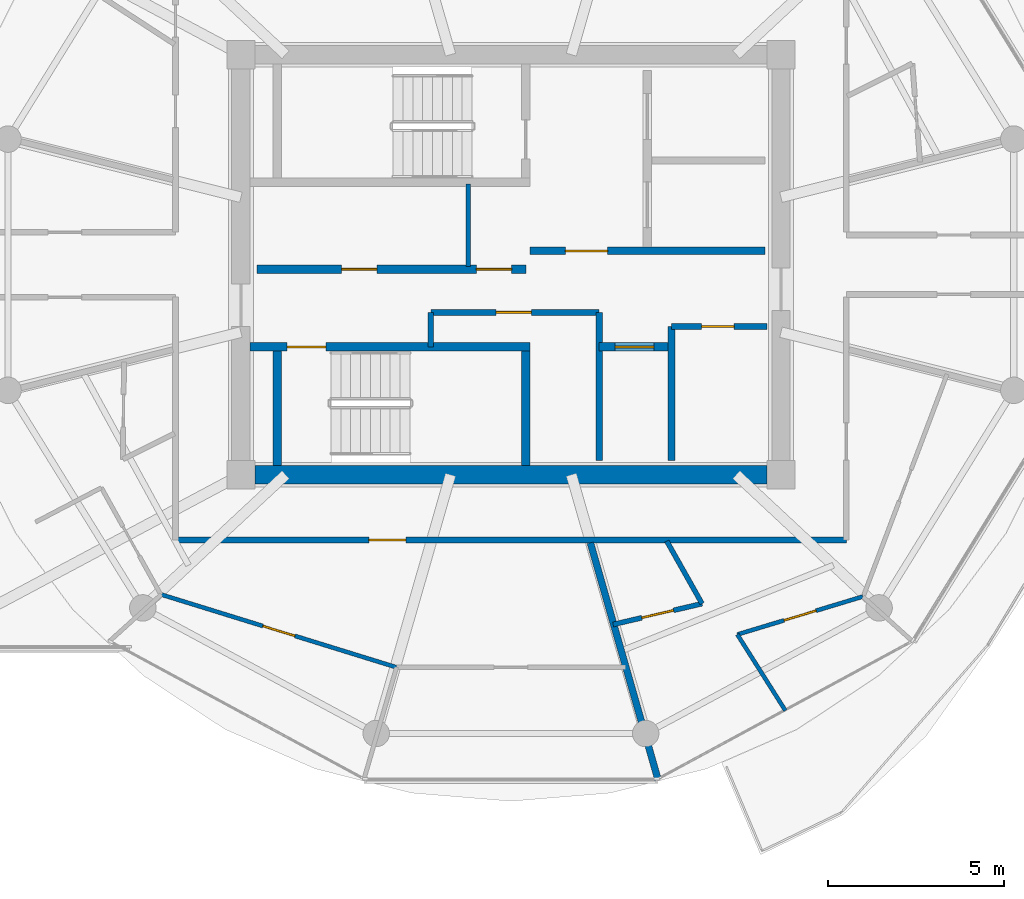
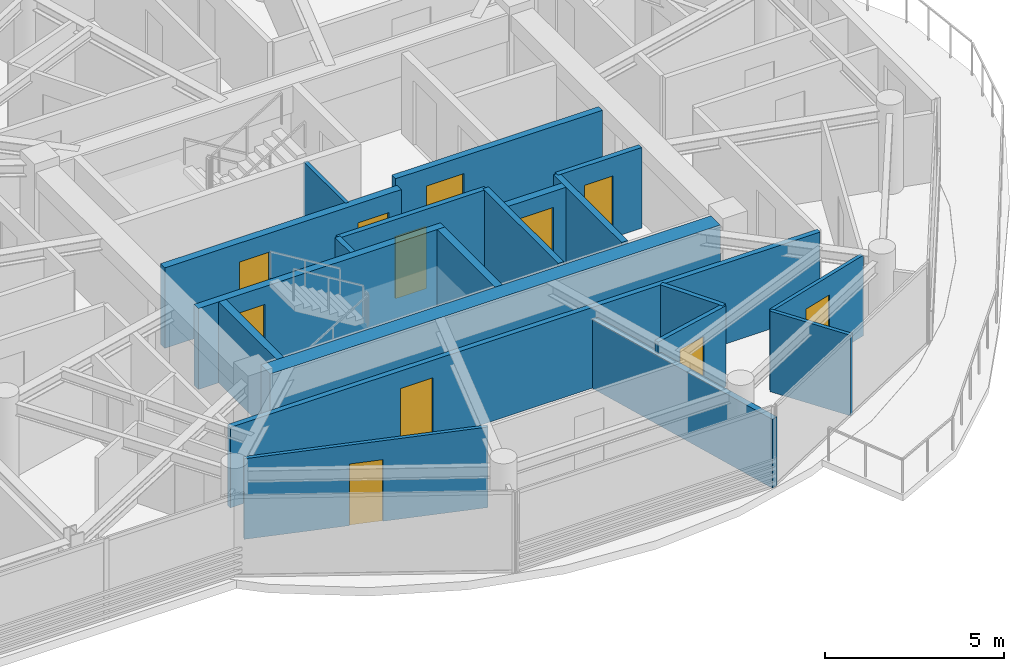
# One storey, part 18 of 24: 20 walls, 11 doors, 11 openings.
"""IFC4 building model written with IfcOpenShell, lengths in metres."""

from ifc_helpers import new_model, si_unit, direction, frame, frame_2d, origin, place, context, subcontext, project, spatial, rectangle, extrude, source, transform, mapped, material, layer, layer_set, type_object, type_shapes, element, fill, save


model = new_model("IFC4")

# Units and contexts
model_context = context("Model", 3, precision=1e-05, world=origin(), true_north=direction((0.0, 1.0)))
body_context = subcontext(model_context, "Body", "Model", "MODEL_VIEW")
ifc_project = project(units=[si_unit("LENGTHUNIT", "METRE"), si_unit("AREAUNIT", "SQUARE_METRE"), si_unit("VOLUMEUNIT", "CUBIC_METRE"), si_unit("PLANEANGLEUNIT", "RADIAN"), si_unit("MASSUNIT", "GRAM", prefix="KILO")], contexts=[model_context])

# Site, building, storey
site_placement = place(None, origin())
site = spatial("IfcSite", under=ifc_project, at=site_placement, CompositionType="ELEMENT")
building_placement = place(site_placement, origin())
building = spatial("IfcBuilding", under=site, at=building_placement, Name="Norrkilde Senior Care Towers", CompositionType="ELEMENT")
storey_placement = place(building_placement, frame((0.0, 0.0, 213.89990234375)))
storey = spatial("IfcBuildingStorey", under=building, at=storey_placement, Name="L66", CompositionType="ELEMENT", Elevation=213.89990234375)

# Wall
ifc_material_1 = material(Name="Concrete C50/60", Category="concrete")
ifc_layer_1 = layer(ifc_material_1, 0.52001953125)
ifc_layer_set_1 = layer_set([ifc_layer_1], Name="Concrete C50/60")
wall_type_1 = type_object("IfcWallType", Name="Core Shear Wall Z4 520", PredefinedType="SHEAR", material=ifc_layer_set_1)
shared_shape_1 = source(origin(), body_context, "Body", "SweptSolid", [
    extrude(rectangle(XDim=14.5, YDim=0.52001953125, at=frame_2d((7.25, 0.0))), origin(), (0.0, 0.0, 1.0), 2.760009765625),
])
type_shapes(wall_type_1, [shared_shape_1])
wall_1_placement = place(storey_placement, frame((35.25, -5.949951171875, 0.0), z_axis=(0.0, 0.0, 1.0), x_axis=(-1.0, 0.0, 0.0)))
element("IfcWall", 1, at=wall_1_placement, inside=storey, type_object=wall_type_1, Name="L66 Core E South Shear Wall", PredefinedType="SHEAR", context=body_context, shape_type="MappedRepresentation", body=[
    mapped(shared_shape_1, transform((0.0, 0.0, 0.0), x_axis=(1.0, 0.0, 0.0), y_axis=(0.0, 1.0, 0.0), z_axis=(0.0, 0.0, 1.0), scale=1.0)),
])

# Wall, opening, door
ifc_material_2 = material(Name="Concrete C45/55", Category="concrete")
ifc_layer_2 = layer(ifc_material_2, 0.239990234375)
ifc_layer_set_2 = layer_set([ifc_layer_2], Name="Concrete C45/55")
wall_type_2 = type_object("IfcWallType", Name="Shaft and Stair Enclosure Wall 240", PredefinedType="PARTITIONING", material=ifc_layer_set_2)
shared_shape_2 = source(origin(), body_context, "Body", "SweptSolid", [
    extrude(rectangle(XDim=7.929931640625, YDim=0.239990234375, at=frame_2d((3.96484375, 0.0))), origin(), (0.0, 0.0, 1.0), 2.760009765625),
])
wall_2_placement = place(storey_placement, frame((20.610107421875, -2.330078125, 0.0), z_axis=(0.0, 0.0, 1.0), x_axis=(1.0, 0.0, 0.0)))
wall_2 = element("IfcWall", 2, at=wall_2_placement, inside=storey, type_object=wall_type_2, Name="WL-INT-L66-E-ST2N", PredefinedType="PARTITIONING", context=body_context, shape_type="MappedRepresentation", body=[
    mapped(shared_shape_2, transform((0.0, 0.0, 0.0), x_axis=(1.0, 0.0, 0.0), y_axis=(0.0, 1.0, 0.0), z_axis=(0.0, 0.0, 1.0), scale=1.0)),
])
opening_1_placement = place(wall_2_placement, frame((1.050048828125, 0.0, 0.0)))
opening_1 = element("IfcOpeningElement", 3, at=opening_1_placement, cuts=wall_2, Name="Opening D-03", PredefinedType="OPENING", context=body_context, shape_type="SweptSolid", body=[
    extrude(rectangle(XDim=1.10009765625, YDim=2.14990234375, at=frame_2d((0.550048828125, 1.074951171875))), frame((0.0, 0.1298828125, 0.0), z_axis=(0.0, -1.0, 0.0), x_axis=(1.0, 0.0, 0.0)), (0.0, 0.0, 1.0), 0.260009765625),
])
ifc_material_3 = material(Name="Galvanised Painted Steel", Category="steel")
door_type_1 = type_object("IfcDoorType", Name="Stairwell Protected Fire Door 1100x2150", OperationType="NOTDEFINED", PredefinedType="DOOR", material=ifc_material_3)
shared_shape_3 = source(origin(), body_context, "Body", "SweptSolid", [
    extrude(rectangle(XDim=1.10009765625, YDim=2.14990234375, at=frame_2d((0.550048828125, 1.074951171875))), frame((0.0, 0.02490234375, 0.0), z_axis=(0.0, -1.0, 0.0), x_axis=(1.0, 0.0, 0.0)), (0.0, 0.0, 1.0), 0.050048828125),
])
type_shapes(door_type_1, [shared_shape_3])
door_1_placement = place(opening_1_placement, frame((1.10009765625, 0.0, 0.0), z_axis=(0.0, 0.0, 1.0), x_axis=(-1.0, 0.0, 0.0)))
door_1 = element("IfcDoor", 4, at=door_1_placement, inside=storey, type_object=door_type_1, Name="L66 Stair E2 Fire Door", OperationType="SINGLE_SWING_RIGHT", OverallHeight=2.14990234375, OverallWidth=1.10009765625, PredefinedType="DOOR", context=body_context, shape_type="MappedRepresentation", body=[
    mapped(shared_shape_3, transform((0.0, 0.0, 0.0), x_axis=(1.0, 0.0, 0.0), y_axis=(0.0, 1.0, 0.0), z_axis=(0.0, 0.0, 1.0), scale=1.0)),
])
fill(opening_1, door_1)

# Walls
shared_shape_4 = source(origin(), body_context, "Body", "SweptSolid", [
    extrude(rectangle(XDim=3.239990234375, YDim=0.239990234375, at=frame_2d((1.6201171875, 0.0))), origin(), (0.0, 0.0, 1.0), 2.760009765625),
])
type_shapes(wall_type_2, [shared_shape_2, shared_shape_4])
for number, where, z_axis, x_axis, name in (
    (5, (21.3798828125, -5.68994140625, 0.0), (0.0, 0.0, 1.0), (0.0, 1.0, 0.0), "WL-INT-L66-E-ST2W"),
    (6, (28.419921875, -5.68994140625, 0.0), (0.0, 0.0, 1.0), (0.0, 1.0, 0.0), "WL-INT-L66-E-ST2E"),
):
    element("IfcWall", number, at=place(storey_placement, frame(where, z_axis=z_axis, x_axis=x_axis)), inside=storey, type_object=wall_type_2, Name=name, PredefinedType="PARTITIONING", context=body_context, shape_type="MappedRepresentation", body=[
        mapped(shared_shape_4, transform((0.0, 0.0, 0.0), x_axis=(1.0, 0.0, 0.0), y_axis=(0.0, 1.0, 0.0), z_axis=(0.0, 0.0, 1.0), scale=1.0)),
    ])

# Wall, opening, door
ifc_layer_3 = layer(ifc_material_2, 0.2099609375)
ifc_layer_set_3 = layer_set([ifc_layer_3], Name="Concrete C45/55")
wall_type_3 = type_object("IfcWallType", Name="Firefighting Lobby Wall 210", PredefinedType="PARTITIONING", material=ifc_layer_set_3)
shared_shape_5 = source(origin(), body_context, "Body", "SweptSolid", [
    extrude(rectangle(XDim=6.659912109375, YDim=0.2099609375, at=frame_2d((3.330078125, 0.0))), origin(), (0.0, 0.0, 1.0), 2.7451171875),
])
type_shapes(wall_type_3, [shared_shape_5])
wall_3_placement = place(storey_placement, frame((28.5400390625, 0.389892578125, 0.0), z_axis=(0.0, 0.0, 1.0), x_axis=(1.0, 0.0, 0.0)))
wall_3 = element("IfcWall", 7, at=wall_3_placement, inside=storey, type_object=wall_type_3, Name="WL-INT-L66-E-FFLS", PredefinedType="PARTITIONING", context=body_context, shape_type="MappedRepresentation", body=[
    mapped(shared_shape_5, transform((0.0, 0.0, 0.0), x_axis=(1.0, 0.0, 0.0), y_axis=(0.0, 1.0, 0.0), z_axis=(0.0, 0.0, 1.0), scale=1.0)),
])
opening_2_placement = place(wall_3_placement, frame((1.0, 0.0, 0.0)))
opening_2 = element("IfcOpeningElement", 8, at=opening_2_placement, cuts=wall_3, Name="Opening D-04", PredefinedType="OPENING", context=body_context, shape_type="SweptSolid", body=[
    extrude(rectangle(XDim=1.199951171875, YDim=2.14990234375, at=frame_2d((0.60009765625, 1.074951171875))), frame((0.0, 0.114990234375, 0.0), z_axis=(0.0, -1.0, 0.0), x_axis=(1.0, 0.0, 0.0)), (0.0, 0.0, 1.0), 0.22998046875),
])
door_type_2 = type_object("IfcDoorType", Name="Firefighting Lobby Fire Door 1200x2150", OperationType="NOTDEFINED", PredefinedType="DOOR", material=ifc_material_3)
shared_shape_6 = source(origin(), body_context, "Body", "SweptSolid", [
    extrude(rectangle(XDim=1.199951171875, YDim=2.14990234375, at=frame_2d((0.60009765625, 1.074951171875))), frame((0.0, 0.02490234375, 0.0), z_axis=(0.0, -1.0, 0.0), x_axis=(1.0, 0.0, 0.0)), (0.0, 0.0, 1.0), 0.050048828125),
])
type_shapes(door_type_2, [shared_shape_6])
door_2_placement = place(opening_2_placement, frame((1.199951171875, 0.0, 0.0), z_axis=(0.0, 0.0, 1.0), x_axis=(-1.0, 0.0, 0.0)))
door_2 = element("IfcDoor", 9, at=door_2_placement, inside=storey, type_object=door_type_2, Name="L66 Firefighting Lobby E Door", OperationType="SINGLE_SWING_LEFT", OverallHeight=2.14990234375, OverallWidth=1.199951171875, PredefinedType="DOOR", context=body_context, shape_type="MappedRepresentation", body=[
    mapped(shared_shape_6, transform((0.0, 0.0, 0.0), x_axis=(1.0, 0.0, 0.0), y_axis=(0.0, 1.0, 0.0), z_axis=(0.0, 0.0, 1.0), scale=1.0)),
])
fill(opening_2, door_2)

# Wall, openings, doors
ifc_layer_4 = layer(ifc_material_2, 0.239990234375)
ifc_layer_set_4 = layer_set([ifc_layer_4], Name="Concrete C45/55")
wall_type_4 = type_object("IfcWallType", Name="Lift and Plant Rated Enclosure Partition 240", PredefinedType="PARTITIONING", material=ifc_layer_set_4)
shared_shape_7 = source(origin(), body_context, "Body", "SweptSolid", [
    extrude(rectangle(XDim=7.619873046875, YDim=0.239990234375, at=frame_2d((3.81005859375, 0.0))), origin(), (0.0, 0.0, 1.0), 2.7451171875),
])
wall_4_placement = place(storey_placement, frame((20.800048828125, -0.1298828125, 0.0), z_axis=(0.0, 0.0, 1.0), x_axis=(1.0, 0.0, 0.0)))
wall_4 = element("IfcWall", 10, at=wall_4_placement, inside=storey, type_object=wall_type_4, Name="WL-INT-L66-E-PKAS", PredefinedType="PARTITIONING", context=body_context, shape_type="MappedRepresentation", body=[
    mapped(shared_shape_7, transform((0.0, 0.0, 0.0), x_axis=(1.0, 0.0, 0.0), y_axis=(0.0, 1.0, 0.0), z_axis=(0.0, 0.0, 1.0), scale=1.0)),
])
opening_3_placement = place(wall_4_placement, frame((6.219970703125, 0.0, 0.0)))
opening_3 = element("IfcOpeningElement", 11, at=opening_3_placement, cuts=wall_4, Name="Opening D-10", PredefinedType="OPENING", context=body_context, shape_type="SweptSolid", body=[
    extrude(rectangle(XDim=1.0, YDim=2.10009765625, at=frame_2d((0.5, 1.050048828125))), frame((0.0, 0.1298828125, 0.0), z_axis=(0.0, -1.0, 0.0), x_axis=(1.0, 0.0, 0.0)), (0.0, 0.0, 1.0), 0.260009765625),
])
opening_4_placement = place(wall_4_placement, frame((2.39990234375, 0.0, 0.0)))
opening_4 = element("IfcOpeningElement", 12, at=opening_4_placement, cuts=wall_4, Name="Opening D-10", PredefinedType="OPENING", context=body_context, shape_type="SweptSolid", body=[
    extrude(rectangle(XDim=1.0, YDim=2.10009765625, at=frame_2d((0.5, 1.050048828125))), frame((0.0, 0.1298828125, 0.0), z_axis=(0.0, -1.0, 0.0), x_axis=(1.0, 0.0, 0.0)), (0.0, 0.0, 1.0), 0.260009765625),
])
door_type_3 = type_object("IfcDoorType", Name="Plant and Riser Rated Door 1000x2100", OperationType="NOTDEFINED", PredefinedType="DOOR", material=ifc_material_3)
shared_shape_8 = source(origin(), body_context, "Body", "SweptSolid", [
    extrude(rectangle(XDim=1.0, YDim=2.10009765625, at=frame_2d((0.5, 1.050048828125))), frame((0.0, 0.02490234375, 0.0), z_axis=(0.0, -1.0, 0.0), x_axis=(1.0, 0.0, 0.0)), (0.0, 0.0, 1.0), 0.050048828125),
])
type_shapes(door_type_3, [shared_shape_8])
door_3_placement = place(opening_3_placement, frame((1.0, 0.0, 0.0), z_axis=(0.0, 0.0, 1.0), x_axis=(-1.0, 0.0, 0.0)))
door_3 = element("IfcDoor", 13, at=door_3_placement, inside=storey, type_object=door_type_3, Name="L66 Electrical Riser E Door", OperationType="SINGLE_SWING_LEFT", OverallHeight=2.10009765625, OverallWidth=1.0, PredefinedType="DOOR", context=body_context, shape_type="MappedRepresentation", body=[
    mapped(shared_shape_8, transform((0.0, 0.0, 0.0), x_axis=(1.0, 0.0, 0.0), y_axis=(0.0, 1.0, 0.0), z_axis=(0.0, 0.0, 1.0), scale=1.0)),
])
fill(opening_3, door_3)
door_4_placement = place(opening_4_placement, frame((1.0, 0.0, 0.0), z_axis=(0.0, 0.0, 1.0), x_axis=(-1.0, 0.0, 0.0)))
door_4 = element("IfcDoor", 14, at=door_4_placement, inside=storey, type_object=door_type_3, Name="L66 Clean Supply Store E Door", OperationType="SINGLE_SWING_LEFT", OverallHeight=2.10009765625, OverallWidth=1.0, PredefinedType="DOOR", context=body_context, shape_type="MappedRepresentation", body=[
    mapped(shared_shape_8, transform((0.0, 0.0, 0.0), x_axis=(1.0, 0.0, 0.0), y_axis=(0.0, 1.0, 0.0), z_axis=(0.0, 0.0, 1.0), scale=1.0)),
])
fill(opening_4, door_4)

# Walls
ifc_material_4 = material(Name="Gypsum Acoustic Board")
ifc_layer_5 = layer(ifc_material_4, 0.114990234375)
ifc_layer_set_5 = layer_set([ifc_layer_5], Name="Gypsum Acoustic Board")
wall_type_5 = type_object("IfcWallType", Name="Internal Room Partition 115", PredefinedType="PARTITIONING", material=ifc_layer_set_5)
shared_shape_9 = source(origin(), body_context, "Body", "SweptSolid", [
    extrude(rectangle(XDim=2.330078125, YDim=0.114990234375, at=frame_2d((1.1650390625, 0.0))), origin(), (0.0, 0.0, 1.0), 2.7451171875),
])
wall_5_placement = place(storey_placement, frame((26.7900390625, -0.050048828125, 0.0), z_axis=(0.0, 0.0, 1.0), x_axis=(0.0, 1.0, 0.0)))
element("IfcWall", 15, at=wall_5_placement, inside=storey, type_object=wall_type_5, Name="WL-INT-L66-E-RISW", PredefinedType="PARTITIONING", context=body_context, shape_type="MappedRepresentation", body=[
    mapped(shared_shape_9, transform((0.0, 0.0, 0.0), x_axis=(1.0, 0.0, 0.0), y_axis=(0.0, 1.0, 0.0), z_axis=(0.0, 0.0, 1.0), scale=1.0)),
])
ifc_layer_6 = layer(ifc_material_2, 0.199951171875)
ifc_layer_set_6 = layer_set([ifc_layer_6], Name="Concrete C45/55")
wall_type_6 = type_object("IfcWallType", Name="Shaft Division and Plant Partition 200", PredefinedType="PARTITIONING", material=ifc_layer_set_6)
shared_shape_10 = source(origin(), body_context, "Body", "SweptSolid", [
    extrude(rectangle(XDim=3.800048828125, YDim=0.199951171875, at=frame_2d((1.89990234375, 0.0))), origin(), (0.0, 0.0, 1.0), 2.7451171875),
])
type_shapes(wall_type_6, [shared_shape_10])
wall_6_placement = place(storey_placement, frame((32.550048828125, -5.550048828125, 0.0), z_axis=(0.0, 0.0, 1.0), x_axis=(0.0, 1.0, 0.0)))
element("IfcWall", 16, at=wall_6_placement, inside=storey, type_object=wall_type_6, Name="WL-INT-L66-E-PKBE", PredefinedType="PARTITIONING", context=body_context, shape_type="MappedRepresentation", body=[
    mapped(shared_shape_10, transform((0.0, 0.0, 0.0), x_axis=(1.0, 0.0, 0.0), y_axis=(0.0, 1.0, 0.0), z_axis=(0.0, 0.0, 1.0), scale=1.0)),
])

# Wall, opening, door
shared_shape_11 = source(origin(), body_context, "Body", "SweptSolid", [
    extrude(rectangle(XDim=2.050048828125, YDim=0.239990234375, at=frame_2d((1.02490234375, 0.0))), origin(), (0.0, 0.0, 1.0), 2.7451171875),
])
type_shapes(wall_type_4, [shared_shape_7, shared_shape_11])
wall_7_placement = place(storey_placement, frame((30.5, -2.330078125, 0.0), z_axis=(0.0, 0.0, 1.0), x_axis=(1.0, 0.0, 0.0)))
wall_7 = element("IfcWall", 17, at=wall_7_placement, inside=storey, type_object=wall_type_4, Name="WL-INT-L66-E-PL4N", PredefinedType="PARTITIONING", context=body_context, shape_type="MappedRepresentation", body=[
    mapped(shared_shape_11, transform((0.0, 0.0, 0.0), x_axis=(1.0, 0.0, 0.0), y_axis=(0.0, 1.0, 0.0), z_axis=(0.0, 0.0, 1.0), scale=1.0)),
])
opening_5_placement = place(wall_7_placement, frame((0.449951171875, 0.0, 0.0)))
opening_5 = element("IfcOpeningElement", 18, at=opening_5_placement, cuts=wall_7, Name="Opening LD-01", PredefinedType="OPENING", context=body_context, shape_type="SweptSolid", body=[
    extrude(rectangle(XDim=1.10009765625, YDim=2.199951171875, at=frame_2d((0.550048828125, 1.10009765625))), frame((0.0, 0.1298828125, 0.0), z_axis=(0.0, -1.0, 0.0), x_axis=(1.0, 0.0, 0.0)), (0.0, 0.0, 1.0), 0.260009765625),
])
ifc_material_5 = material(Name="Stainless Steel", Category="steel")
door_type_4 = type_object("IfcDoorType", Name="Lift Landing Sliding Door 1100x2200", OperationType="NOTDEFINED", PredefinedType="DOOR", material=ifc_material_5)
shared_shape_12 = source(origin(), body_context, "Body", "SweptSolid", [
    extrude(rectangle(XDim=1.10009765625, YDim=2.199951171875, at=frame_2d((0.550048828125, 1.10009765625))), frame((0.0, 0.02490234375, 0.0), z_axis=(0.0, -1.0, 0.0), x_axis=(1.0, 0.0, 0.0)), (0.0, 0.0, 1.0), 0.050048828125),
])
type_shapes(door_type_4, [shared_shape_12])
door_5_placement = place(opening_5_placement, frame((1.10009765625, 0.0, 0.0), z_axis=(0.0, 0.0, 1.0), x_axis=(-1.0, 0.0, 0.0)))
door_5 = element("IfcDoor", 19, at=door_5_placement, inside=storey, type_object=door_type_4, Name="L66 Passenger Lift E4 Landing Door", OperationType="SLIDING_TO_RIGHT", OverallHeight=2.199951171875, OverallWidth=1.10009765625, PredefinedType="DOOR", context=body_context, shape_type="MappedRepresentation", body=[
    mapped(shared_shape_12, transform((0.0, 0.0, 0.0), x_axis=(1.0, 0.0, 0.0), y_axis=(0.0, 1.0, 0.0), z_axis=(0.0, 0.0, 1.0), scale=1.0)),
])
fill(opening_5, door_5)

# Wall
ifc_layer_7 = layer(ifc_material_2, 0.179931640625)
ifc_layer_set_7 = layer_set([ifc_layer_7], Name="Concrete C45/55")
wall_type_7 = type_object("IfcWallType", Name="Hoistway Division Rated Partition 180", PredefinedType="PARTITIONING", material=ifc_layer_set_7)
shared_shape_13 = source(origin(), body_context, "Body", "SweptSolid", [
    extrude(rectangle(XDim=4.199951171875, YDim=0.179931640625, at=frame_2d((2.10009765625, 0.0))), origin(), (0.0, 0.0, 1.0), 2.7451171875),
])
type_shapes(wall_type_7, [shared_shape_13])
wall_8_placement = place(storey_placement, frame((30.5, -5.550048828125, 0.0), z_axis=(0.0, 0.0, 1.0), x_axis=(0.0, 1.0, 0.0)))
element("IfcWall", 20, at=wall_8_placement, inside=storey, type_object=wall_type_7, Name="WL-INT-L66-E-PL4W", PredefinedType="PARTITIONING", context=body_context, shape_type="MappedRepresentation", body=[
    mapped(shared_shape_13, transform((0.0, 0.0, 0.0), x_axis=(1.0, 0.0, 0.0), y_axis=(0.0, 1.0, 0.0), z_axis=(0.0, 0.0, 1.0), scale=1.0)),
])

# Wall, opening, door
ifc_layer_8 = layer(ifc_material_4, 0.1650390625)
ifc_layer_set_8 = layer_set([ifc_layer_8], Name="Gypsum Acoustic Board")
wall_type_8 = type_object("IfcWallType", Name="Corridor Rated Partition 165", PredefinedType="PARTITIONING", material=ifc_layer_set_8)
shared_shape_14 = source(origin(), body_context, "Body", "SweptSolid", [
    extrude(rectangle(XDim=4.77001953125, YDim=0.1650390625, at=frame_2d((2.385009765625, 0.0))), origin(), (0.0, 0.0, 1.0), 2.7451171875),
])
wall_9_placement = place(storey_placement, frame((25.72998046875, -1.35009765625, 0.0), z_axis=(0.0, 0.0, 1.0), x_axis=(1.0, 0.0, 0.0)))
wall_9 = element("IfcWall", 21, at=wall_9_placement, inside=storey, type_object=wall_type_8, Name="WL-INT-L66-E-FR2N", PredefinedType="PARTITIONING", context=body_context, shape_type="MappedRepresentation", body=[
    mapped(shared_shape_14, transform((0.0, 0.0, 0.0), x_axis=(1.0, 0.0, 0.0), y_axis=(0.0, 1.0, 0.0), z_axis=(0.0, 0.0, 1.0), scale=1.0)),
])
opening_6_placement = place(wall_9_placement, frame((1.85009765625, 0.0, 0.0)))
opening_6 = element("IfcOpeningElement", 22, at=opening_6_placement, cuts=wall_9, Name="Opening D-10", PredefinedType="OPENING", context=body_context, shape_type="SweptSolid", body=[
    extrude(rectangle(XDim=1.0, YDim=2.10009765625, at=frame_2d((0.5, 1.050048828125))), frame((0.0, 0.092529296875, 0.0), z_axis=(0.0, -1.0, 0.0), x_axis=(1.0, 0.0, 0.0)), (0.0, 0.0, 1.0), 0.18505859375),
])
door_6_placement = place(opening_6_placement, origin())
door_6 = element("IfcDoor", 23, at=door_6_placement, inside=storey, type_object=door_type_3, Name="L66 Core Pantry E Door", OperationType="SINGLE_SWING_RIGHT", OverallHeight=2.10009765625, OverallWidth=1.0, PredefinedType="DOOR", context=body_context, shape_type="MappedRepresentation", body=[
    mapped(shared_shape_8, transform((0.0, 0.0, 0.0), x_axis=(1.0, 0.0, 0.0), y_axis=(0.0, 1.0, 0.0), z_axis=(0.0, 0.0, 1.0), scale=1.0)),
])
fill(opening_6, door_6)

# Wall
shared_shape_15 = source(origin(), body_context, "Body", "SweptSolid", [
    extrude(rectangle(XDim=0.97998046875, YDim=0.1650390625, at=frame_2d((0.489990234375, 0.0))), origin(), (0.0, 0.0, 1.0), 2.7451171875),
])
wall_10_placement = place(storey_placement, frame((25.72998046875, -2.330078125, 0.0), z_axis=(0.0, 0.0, 1.0), x_axis=(0.0, 1.0, 0.0)))
element("IfcWall", 24, at=wall_10_placement, inside=storey, type_object=wall_type_8, Name="WL-INT-L66-E-FR2W", PredefinedType="PARTITIONING", context=body_context, shape_type="MappedRepresentation", body=[
    mapped(shared_shape_15, transform((0.0, 0.0, 0.0), x_axis=(1.0, 0.0, 0.0), y_axis=(0.0, 1.0, 0.0), z_axis=(0.0, 0.0, 1.0), scale=1.0)),
])

# Wall, opening, door
shared_shape_16 = source(origin(), body_context, "Body", "SweptSolid", [
    extrude(rectangle(XDim=2.699951171875, YDim=0.1650390625, at=frame_2d((1.35009765625, 0.0))), origin(), (0.0, 0.0, 1.0), 2.7451171875),
])
wall_11_placement = place(storey_placement, frame((32.550048828125, -1.75, 0.0), z_axis=(0.0, 0.0, 1.0), x_axis=(1.0, 0.0, 0.0)))
wall_11 = element("IfcWall", 25, at=wall_11_placement, inside=storey, type_object=wall_type_8, Name="WL-INT-L66-E-CSN", PredefinedType="PARTITIONING", context=body_context, shape_type="MappedRepresentation", body=[
    mapped(shared_shape_16, transform((0.0, 0.0, 0.0), x_axis=(1.0, 0.0, 0.0), y_axis=(0.0, 1.0, 0.0), z_axis=(0.0, 0.0, 1.0), scale=1.0)),
])
opening_7_placement = place(wall_11_placement, frame((0.85009765625, 0.0, 0.0)))
opening_7 = element("IfcOpeningElement", 26, at=opening_7_placement, cuts=wall_11, Name="Opening D-12", PredefinedType="OPENING", context=body_context, shape_type="SweptSolid", body=[
    extrude(rectangle(XDim=0.925048828125, YDim=2.10009765625, at=frame_2d((0.46240234375, 1.050048828125))), frame((0.0, 0.092529296875, 0.0), z_axis=(0.0, -1.0, 0.0), x_axis=(1.0, 0.0, 0.0)), (0.0, 0.0, 1.0), 0.18505859375),
])
door_type_5 = type_object("IfcDoorType", Name="Core Wet Room Rated Door 925x2100", OperationType="NOTDEFINED", PredefinedType="DOOR", material=ifc_material_3)
shared_shape_17 = source(origin(), body_context, "Body", "SweptSolid", [
    extrude(rectangle(XDim=0.925048828125, YDim=2.10009765625, at=frame_2d((0.46240234375, 1.050048828125))), frame((0.0, 0.02490234375, 0.0), z_axis=(0.0, -1.0, 0.0), x_axis=(1.0, 0.0, 0.0)), (0.0, 0.0, 1.0), 0.050048828125),
])
type_shapes(door_type_5, [shared_shape_17])
door_7_placement = place(opening_7_placement, origin())
door_7 = element("IfcDoor", 27, at=door_7_placement, inside=storey, type_object=door_type_5, Name="L66 Core Utility E Door", OperationType="SINGLE_SWING_LEFT", OverallHeight=2.10009765625, OverallWidth=0.925048828125, PredefinedType="DOOR", context=body_context, shape_type="MappedRepresentation", body=[
    mapped(shared_shape_17, transform((0.0, 0.0, 0.0), x_axis=(1.0, 0.0, 0.0), y_axis=(0.0, 1.0, 0.0), z_axis=(0.0, 0.0, 1.0), scale=1.0)),
])
fill(opening_7, door_7)

shared_shape_18 = source(origin(), body_context, "Body", "SweptSolid", [
    extrude(rectangle(XDim=19.0, YDim=0.1650390625, at=frame_2d((9.5, 0.0))), origin(), (0.0, 0.0, 1.0), 2.7451171875),
])
type_shapes(wall_type_8, [shared_shape_14, shared_shape_15, shared_shape_16, shared_shape_18])
wall_12_placement = place(storey_placement, frame((37.5, -7.800048828125, 0.0), z_axis=(0.0, 0.0, 1.0), x_axis=(-1.0, 0.0, 0.0)))
wall_12 = element("IfcWall", 28, at=wall_12_placement, inside=storey, type_object=wall_type_8, Name="WL-INT-L66-E-CRW-S-0", PredefinedType="PARTITIONING", context=body_context, shape_type="MappedRepresentation", body=[
    mapped(shared_shape_18, transform((0.0, 0.0, 0.0), x_axis=(1.0, 0.0, 0.0), y_axis=(0.0, 1.0, 0.0), z_axis=(0.0, 0.0, 1.0), scale=1.0)),
])
opening_8_placement = place(wall_12_placement, frame((12.47314453125, 0.0, 0.0)))
opening_8 = element("IfcOpeningElement", 29, at=opening_8_placement, cuts=wall_12, Name="Opening D-06", PredefinedType="OPENING", context=body_context, shape_type="SweptSolid", body=[
    extrude(rectangle(XDim=1.050048828125, YDim=2.14990234375, at=frame_2d((0.52490234375, 1.074951171875))), frame((0.0, 0.092529296875, 0.0), z_axis=(0.0, -1.0, 0.0), x_axis=(1.0, 0.0, 0.0)), (0.0, 0.0, 1.0), 0.18505859375),
])
ifc_material_6 = material(Name="Nordic Ash Timber", Category="wood")
door_type_6 = type_object("IfcDoorType", Name="Apartment Entrance Fire Door 1050x2150", OperationType="NOTDEFINED", PredefinedType="DOOR", material=ifc_material_6)
shared_shape_19 = source(origin(), body_context, "Body", "SweptSolid", [
    extrude(rectangle(XDim=1.050048828125, YDim=2.14990234375, at=frame_2d((0.52490234375, 1.074951171875))), frame((0.0, 0.02490234375, 0.0), z_axis=(0.0, -1.0, 0.0), x_axis=(1.0, 0.0, 0.0)), (0.0, 0.0, 1.0), 0.050048828125),
])
type_shapes(door_type_6, [shared_shape_19])
door_8_placement = place(opening_8_placement, frame((1.050048828125, 0.0, 0.0), z_axis=(0.0, 0.0, 1.0), x_axis=(-1.0, 0.0, 0.0)))
door_8 = element("IfcDoor", 30, at=door_8_placement, inside=storey, type_object=door_type_6, Name="Apartment 66E Entrance Door", OperationType="SINGLE_SWING_LEFT", OverallHeight=2.14990234375, OverallWidth=1.050048828125, PredefinedType="DOOR", context=body_context, shape_type="MappedRepresentation", body=[
    mapped(shared_shape_19, transform((0.0, 0.0, 0.0), x_axis=(1.0, 0.0, 0.0), y_axis=(0.0, 1.0, 0.0), z_axis=(0.0, 0.0, 1.0), scale=1.0)),
])
fill(opening_8, door_8)

# Wall
ifc_layer_9 = layer(ifc_material_4, 0.18994140625)
ifc_layer_set_9 = layer_set([ifc_layer_9], Name="Gypsum Acoustic Board")
wall_type_9 = type_object("IfcWallType", Name="Unit Demising Acoustic Wall 190", PredefinedType="PARTITIONING", material=ifc_layer_set_9)
shared_shape_20 = source(origin(), body_context, "Body", "SweptSolid", [
    extrude(rectangle(XDim=6.973876953125, YDim=0.18994140625, at=frame_2d((3.48681640625, 0.0))), origin(), (0.0, 0.0, 1.0), 2.34521484375),
])
type_shapes(wall_type_9, [shared_shape_20])
wall_13_placement = place(storey_placement, frame((30.251220703125, -7.8798828125, 0.0), z_axis=(0.0, 0.0, 1.0), x_axis=(0.274707256801, -0.961527910703, 0.0)))
element("IfcWall", 31, at=wall_13_placement, inside=storey, type_object=wall_type_9, Name="WL-INT-L66-E-DEM-09-0", PredefinedType="PARTITIONING", context=body_context, shape_type="MappedRepresentation", body=[
    mapped(shared_shape_20, transform((0.0, 0.0, 0.0), x_axis=(1.0, 0.0, 0.0), y_axis=(0.0, 1.0, 0.0), z_axis=(0.0, 0.0, 1.0), scale=1.0)),
])

# Wall, opening, door
shared_shape_21 = source(origin(), body_context, "Body", "SweptSolid", [
    extrude(rectangle(XDim=6.979736328125, YDim=0.114990234375, at=frame_2d((3.48974609375, 0.0))), origin(), (0.0, 0.0, 1.0), 2.7451171875),
])
wall_14_placement = place(storey_placement, frame((18.0908203125, -9.34423828125, 0.0), z_axis=(0.0, 0.0, 1.0), x_axis=(0.955342331637, -0.295501318749, 0.0)))
wall_14 = element("IfcWall", 32, at=wall_14_placement, inside=storey, type_object=wall_type_5, Name="WL-INT-L66-E-UBC-06-1", PredefinedType="PARTITIONING", context=body_context, shape_type="MappedRepresentation", body=[
    mapped(shared_shape_21, transform((0.0, 0.0, 0.0), x_axis=(1.0, 0.0, 0.0), y_axis=(0.0, 1.0, 0.0), z_axis=(0.0, 0.0, 1.0), scale=1.0)),
])
opening_9_placement = place(wall_14_placement, frame((3.014892578125, 0.0, 0.0)))
opening_9 = element("IfcOpeningElement", 33, at=opening_9_placement, cuts=wall_14, Name="Opening D-07", PredefinedType="OPENING", context=body_context, shape_type="SweptSolid", body=[
    extrude(rectangle(XDim=0.949951171875, YDim=2.10009765625, at=frame_2d((0.47509765625, 1.050048828125))), frame((0.0, 0.0673828125, 0.0), z_axis=(0.0, -1.0, 0.0), x_axis=(1.0, 0.0, 0.0)), (0.0, 0.0, 1.0), 0.135009765625),
])
door_type_7 = type_object("IfcDoorType", Name="Internal Suite Bedroom Door 950x2100", OperationType="NOTDEFINED", PredefinedType="DOOR", material=ifc_material_6)
shared_shape_22 = source(origin(), body_context, "Body", "SweptSolid", [
    extrude(rectangle(XDim=0.949951171875, YDim=2.10009765625, at=frame_2d((0.47509765625, 1.050048828125))), frame((0.0, 0.02490234375, 0.0), z_axis=(0.0, -1.0, 0.0), x_axis=(1.0, 0.0, 0.0)), (0.0, 0.0, 1.0), 0.050048828125),
])
type_shapes(door_type_7, [shared_shape_22])
door_9_placement = place(opening_9_placement, origin())
door_9 = element("IfcDoor", 34, at=door_9_placement, inside=storey, type_object=door_type_7, Name="Apartment 66E Bedroom 1 Door", OperationType="SINGLE_SWING_RIGHT", OverallHeight=2.10009765625, OverallWidth=0.949951171875, PredefinedType="DOOR", context=body_context, shape_type="MappedRepresentation", body=[
    mapped(shared_shape_22, transform((0.0, 0.0, 0.0), x_axis=(1.0, 0.0, 0.0), y_axis=(0.0, 1.0, 0.0), z_axis=(0.0, 0.0, 1.0), scale=1.0)),
])
fill(opening_9, door_9)

# Wall
ifc_layer_10 = layer(ifc_material_4, 0.139892578125)
ifc_layer_set_10 = layer_set([ifc_layer_10], Name="Gypsum Acoustic Board")
wall_type_10 = type_object("IfcWallType", Name="En-suite Wet Room Wall 140", PredefinedType="PARTITIONING", material=ifc_layer_set_10)
shared_shape_23 = source(origin(), body_context, "Body", "SweptSolid", [
    extrude(rectangle(XDim=2.035400390625, YDim=0.139892578125, at=frame_2d((1.017578125, 0.0))), origin(), (0.0, 0.0, 1.0), 2.7451171875),
])
wall_15_placement = place(storey_placement, frame((32.4150390625, -7.830078125, 0.0), z_axis=(0.0, 0.0, 1.0), x_axis=(0.491092509169, -0.871107425888, 0.0)))
element("IfcWall", 35, at=wall_15_placement, inside=storey, type_object=wall_type_10, Name="WL-INT-L66-E-UBTS-09", PredefinedType="PARTITIONING", context=body_context, shape_type="MappedRepresentation", body=[
    mapped(shared_shape_23, transform((0.0, 0.0, 0.0), x_axis=(1.0, 0.0, 0.0), y_axis=(0.0, 1.0, 0.0), z_axis=(0.0, 0.0, 1.0), scale=1.0)),
])

# Wall, opening, door
shared_shape_24 = source(origin(), body_context, "Body", "SweptSolid", [
    extrude(rectangle(XDim=2.58642578125, YDim=0.139892578125, at=frame_2d((1.293212890625, 0.0))), origin(), (0.0, 0.0, 1.0), 2.7451171875),
])
type_shapes(wall_type_10, [shared_shape_23, shared_shape_24])
wall_16_placement = place(storey_placement, frame((33.41455078125, -9.60302734375, 0.0), z_axis=(0.0, 0.0, 1.0), x_axis=(-0.973691298219, -0.227871138526, 0.0)))
wall_16 = element("IfcWall", 36, at=wall_16_placement, inside=storey, type_object=wall_type_10, Name="WL-INT-L66-E-UBTF-09", PredefinedType="PARTITIONING", context=body_context, shape_type="MappedRepresentation", body=[
    mapped(shared_shape_24, transform((0.0, 0.0, 0.0), x_axis=(1.0, 0.0, 0.0), y_axis=(0.0, 1.0, 0.0), z_axis=(0.0, 0.0, 1.0), scale=1.0)),
])
opening_10_placement = place(wall_16_placement, frame((0.833251953125, 0.0, 0.0)))
opening_10 = element("IfcOpeningElement", 37, at=opening_10_placement, cuts=wall_16, Name="Opening D-08", PredefinedType="OPENING", context=body_context, shape_type="SweptSolid", body=[
    extrude(rectangle(XDim=0.919921875, YDim=2.10009765625, at=frame_2d((0.4599609375, 1.050048828125))), frame((0.0, 0.079833984375, 0.0), z_axis=(0.0, -1.0, 0.0), x_axis=(1.0, 0.0, 0.0)), (0.0, 0.0, 1.0), 0.159912109375),
])
door_type_8 = type_object("IfcDoorType", Name="Accessible Wet Room Door 920x2100", OperationType="NOTDEFINED", PredefinedType="DOOR", material=ifc_material_6)
shared_shape_25 = source(origin(), body_context, "Body", "SweptSolid", [
    extrude(rectangle(XDim=0.919921875, YDim=2.10009765625, at=frame_2d((0.4599609375, 1.050048828125))), frame((0.0, 0.02490234375, 0.0), z_axis=(0.0, -1.0, 0.0), x_axis=(1.0, 0.0, 0.0)), (0.0, 0.0, 1.0), 0.050048828125),
])
type_shapes(door_type_8, [shared_shape_25])
door_10_placement = place(opening_10_placement, origin())
door_10 = element("IfcDoor", 38, at=door_10_placement, inside=storey, type_object=door_type_8, Name="Apartment 66F Bathroom Door", OperationType="SINGLE_SWING_LEFT", OverallHeight=2.10009765625, OverallWidth=0.919921875, PredefinedType="DOOR", context=body_context, shape_type="MappedRepresentation", body=[
    mapped(shared_shape_25, transform((0.0, 0.0, 0.0), x_axis=(1.0, 0.0, 0.0), y_axis=(0.0, 1.0, 0.0), z_axis=(0.0, 0.0, 1.0), scale=1.0)),
])
fill(opening_10, door_10)

# Wall
shared_shape_26 = source(origin(), body_context, "Body", "SweptSolid", [
    extrude(rectangle(XDim=2.548828125, YDim=0.114990234375, at=frame_2d((1.2744140625, 0.0))), origin(), (0.0, 0.0, 1.0), 2.7451171875),
])
wall_17_placement = place(storey_placement, frame((34.414306640625, -10.4765625, 0.0), z_axis=(0.0, 0.0, 1.0), x_axis=(0.534108310175, -0.845416059111, 0.0)))
element("IfcWall", 39, at=wall_17_placement, inside=storey, type_object=wall_type_5, Name="WL-INT-L66-E-UKTS-09", PredefinedType="PARTITIONING", context=body_context, shape_type="MappedRepresentation", body=[
    mapped(shared_shape_26, transform((0.0, 0.0, 0.0), x_axis=(1.0, 0.0, 0.0), y_axis=(0.0, 1.0, 0.0), z_axis=(0.0, 0.0, 1.0), scale=1.0)),
])

# Wall, opening, door
shared_shape_27 = source(origin(), body_context, "Body", "SweptSolid", [
    extrude(rectangle(XDim=3.71435546875, YDim=0.114990234375, at=frame_2d((1.857177734375, 0.0))), origin(), (0.0, 0.0, 1.0), 2.7451171875),
])
type_shapes(wall_type_5, [shared_shape_9, shared_shape_21, shared_shape_26, shared_shape_27])
wall_18_placement = place(storey_placement, frame((34.414306640625, -10.4765625, 0.0), z_axis=(0.0, 0.0, 1.0), x_axis=(0.957188983281, 0.28946372879, 0.0)))
wall_18 = element("IfcWall", 40, at=wall_18_placement, inside=storey, type_object=wall_type_5, Name="WL-INT-L66-E-UKTF-09", PredefinedType="PARTITIONING", context=body_context, shape_type="MappedRepresentation", body=[
    mapped(shared_shape_27, transform((0.0, 0.0, 0.0), x_axis=(1.0, 0.0, 0.0), y_axis=(0.0, 1.0, 0.0), z_axis=(0.0, 0.0, 1.0), scale=1.0)),
])
opening_11_placement = place(wall_18_placement, frame((1.38232421875, 0.0, 0.0)))
opening_11 = element("IfcOpeningElement", 41, at=opening_11_placement, cuts=wall_18, Name="Opening D-07", PredefinedType="OPENING", context=body_context, shape_type="SweptSolid", body=[
    extrude(rectangle(XDim=0.949951171875, YDim=2.10009765625, at=frame_2d((0.47509765625, 1.050048828125))), frame((0.0, 0.0673828125, 0.0), z_axis=(0.0, -1.0, 0.0), x_axis=(1.0, 0.0, 0.0)), (0.0, 0.0, 1.0), 0.135009765625),
])
door_11_placement = place(opening_11_placement, frame((0.949951171875, 0.0, 0.0), z_axis=(0.0, 0.0, 1.0), x_axis=(-1.0, 0.0, 0.0)))
door_11 = element("IfcDoor", 42, at=door_11_placement, inside=storey, type_object=door_type_7, Name="Apartment 66F Kitchen Door", OperationType="SINGLE_SWING_RIGHT", OverallHeight=2.10009765625, OverallWidth=0.949951171875, PredefinedType="DOOR", context=body_context, shape_type="MappedRepresentation", body=[
    mapped(shared_shape_22, transform((0.0, 0.0, 0.0), x_axis=(1.0, 0.0, 0.0), y_axis=(0.0, 1.0, 0.0), z_axis=(0.0, 0.0, 1.0), scale=1.0)),
])
fill(opening_11, door_11)

save(model, "model.ifc")
